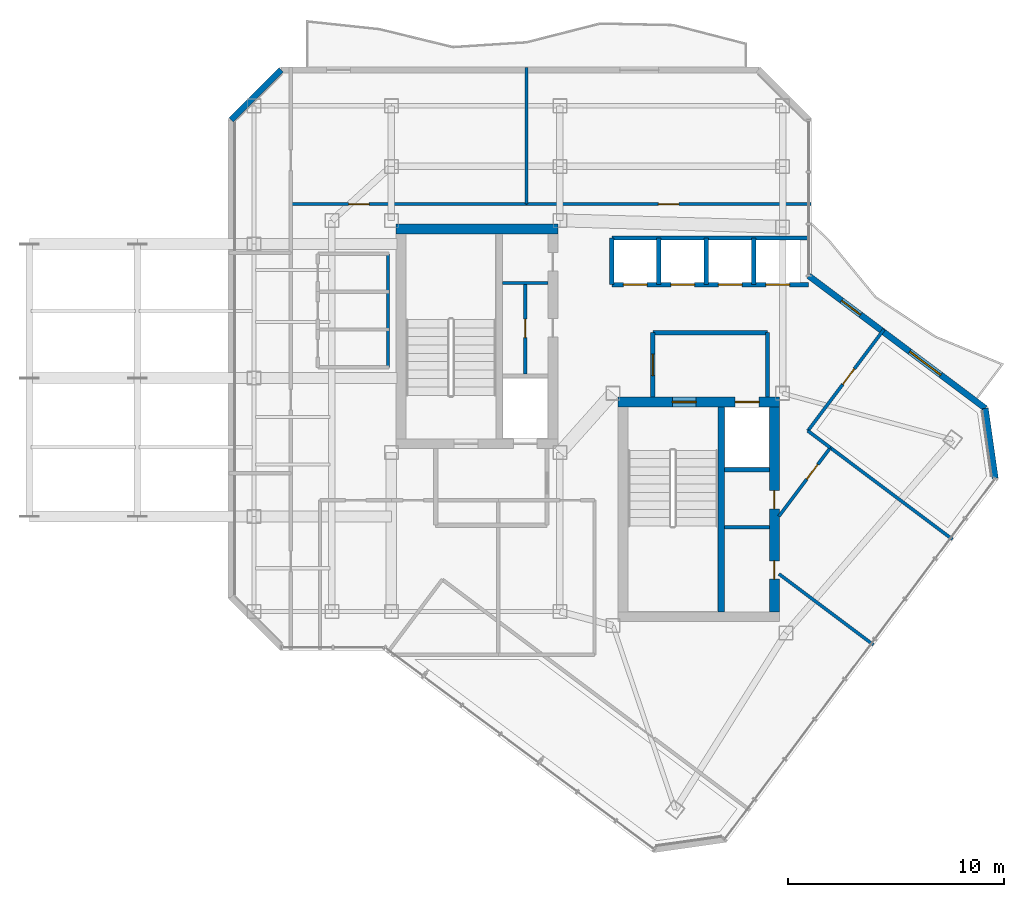
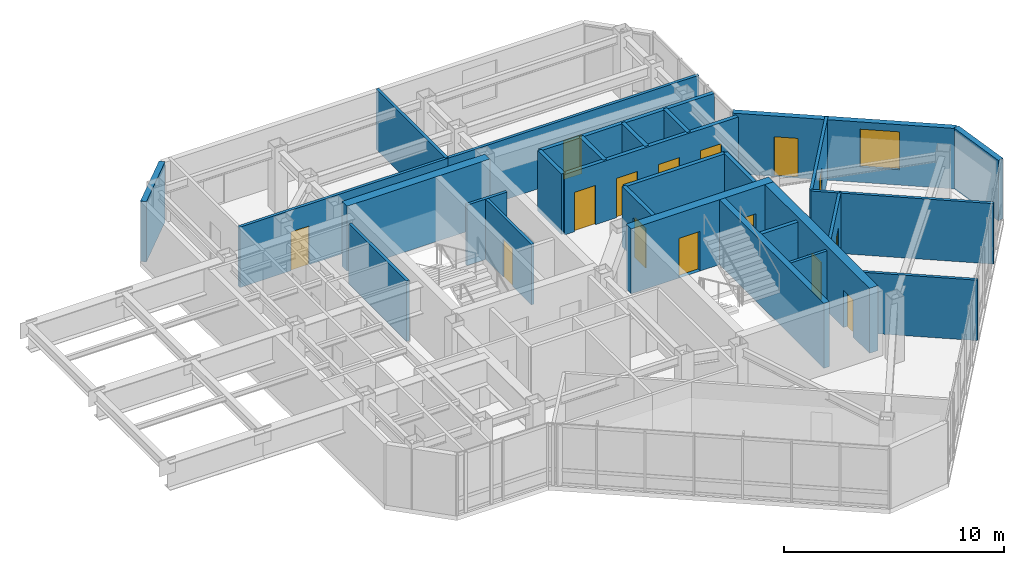
# One storey, part 13 of 17: 29 walls, 15 doors, 1 window, 16 openings.
"""IFC4 building model written with IfcOpenShell, lengths in metres."""

from ifc_helpers import new_model, si_unit, direction, frame, frame_2d, origin, place, context, subcontext, project, spatial, rectangle, extrude, material, layer, layer_set, type_object, element, fill, save


model = new_model("IFC4")

# Units and contexts
model_context = context("Model", 3, precision=1e-05, world=origin(), true_north=direction((0.0, 1.0)))
body_context = subcontext(model_context, "Body", "Model", "MODEL_VIEW")
ifc_project = project(units=[si_unit("LENGTHUNIT", "METRE"), si_unit("AREAUNIT", "SQUARE_METRE"), si_unit("VOLUMEUNIT", "CUBIC_METRE"), si_unit("PLANEANGLEUNIT", "RADIAN"), si_unit("MASSUNIT", "GRAM", prefix="KILO")], contexts=[model_context])

# Site, building, storey
site_placement = place(None, origin())
site = spatial("IfcSite", under=ifc_project, at=site_placement, CompositionType="ELEMENT")
building_placement = place(site_placement, origin())
building = spatial("IfcBuilding", under=site, at=building_placement, Name="Hatsunagi Terrace Concourse", CompositionType="ELEMENT")
storey_placement = place(building_placement, frame((0.0, 0.0, 253.949951171875)))
storey = spatial("IfcBuildingStorey", under=building, at=storey_placement, Name="L67", CompositionType="ELEMENT", Elevation=253.949951171875)

# Wall
ifc_material_1 = material(Name="Concrete Fc42", Category="concrete")
ifc_layer_1 = layer(ifc_material_1, 0.449951171875)
ifc_layer_set_1 = layer_set([ifc_layer_1], Name="CoreShearWall_Fc42_450")
wall_type_1 = type_object("IfcWallType", Name="CoreShearWall_Fc42_450", PredefinedType="SHEAR", material=ifc_layer_set_1)
wall_1_placement = place(storey_placement, frame((25.77001953125, 42.89501953125, 0.0), z_axis=(0.0, 0.0, 1.0), x_axis=(1.0, 0.0, 0.0)))
element("IfcWall", 1, at=wall_1_placement, inside=storey, type_object=wall_type_1, Name="Core A Shear Wall N L67", PredefinedType="SHEAR", context=body_context, shape_type="SweptSolid", body=[
    extrude(rectangle(XDim=7.47998046875, YDim=0.449951171875, at=frame_2d((3.739990234375, 0.0))), origin(), (0.0, 0.0, 1.0), 3.60009765625),
])

# Wall, openings, doors
wall_2_placement = place(storey_placement, frame((36.0400390625, 34.89501953125, 0.0), z_axis=(0.0, 0.0, 1.0), x_axis=(1.0, 0.0, 0.0)))
wall_2 = element("IfcWall", 2, at=wall_2_placement, inside=storey, type_object=wall_type_1, Name="Core B Shear Wall N L67", PredefinedType="SHEAR", context=body_context, shape_type="SweptSolid", body=[
    extrude(rectangle(XDim=7.4599609375, YDim=0.449951171875, at=frame_2d((3.72998046875, 0.0))), origin(), (0.0, 0.0, 1.0), 3.60009765625),
])
opening_1_placement = place(wall_2_placement, frame((2.510009765625, 0.0, 0.0)))
opening_1 = element("IfcOpeningElement", 3, at=opening_1_placement, cuts=wall_2, Name="Opening DR-110S", PredefinedType="OPENING", context=body_context, shape_type="SweptSolid", body=[
    extrude(rectangle(XDim=1.10009765625, YDim=2.199951171875, at=frame_2d((0.550048828125, 1.10009765625))), frame((0.0, 0.23486328125, 0.0), z_axis=(0.0, -1.0, 0.0), x_axis=(1.0, 0.0, 0.0)), (0.0, 0.0, 1.0), 0.469970703125),
])
opening_2_placement = place(wall_2_placement, frame((5.409912109375, 0.0, 0.0)))
opening_2 = element("IfcOpeningElement", 4, at=opening_2_placement, cuts=wall_2, Name="Opening LD-02", PredefinedType="OPENING", context=body_context, shape_type="SweptSolid", body=[
    extrude(rectangle(XDim=1.1201171875, YDim=2.14990234375, at=frame_2d((0.56005859375, 1.074951171875))), frame((0.0, 0.23486328125, 0.0), z_axis=(0.0, -1.0, 0.0), x_axis=(1.0, 0.0, 0.0)), (0.0, 0.0, 1.0), 0.469970703125),
])
ifc_material_2 = material(Name="Stainless steel", Category="steel")
door_type_1 = type_object("IfcDoorType", Name="LiftLandingDoor_LD02", OperationType="SLIDING_TO_RIGHT", PredefinedType="USERDEFINED", material=ifc_material_2)
door_1_placement = place(opening_2_placement, origin())
door_1 = element("IfcDoor", 5, at=door_1_placement, inside=storey, type_object=door_type_1, Name="Lift landing door FF-02 L67", ObjectType="SLIDING_LANDING_DOOR", OperationType="SLIDING_TO_RIGHT", OverallHeight=2.14990234375, OverallWidth=1.1201171875, PredefinedType="USERDEFINED", context=body_context, shape_type="SweptSolid", body=[
    extrude(rectangle(XDim=1.1201171875, YDim=2.14990234375, at=frame_2d((0.56005859375, 1.074951171875))), frame((0.0, 0.02490234375, 0.0), z_axis=(0.0, -1.0, 0.0), x_axis=(1.0, 0.0, 0.0)), (0.0, 0.0, 1.0), 0.050048828125),
])
fill(opening_2, door_1)
ifc_material_3 = material(Name="Painted steel", Category="steel")
door_type_2 = type_object("IfcDoorType", Name="StairFireDoor_EI60_1100", OperationType="NOTDEFINED", PredefinedType="DOOR", material=ifc_material_3)
door_2_placement = place(opening_1_placement, origin())
door_2 = element("IfcDoor", 6, at=door_2_placement, inside=storey, type_object=door_type_2, Name="Stair ST-B Exit Door L67", OperationType="SINGLE_SWING_RIGHT", OverallHeight=2.199951171875, OverallWidth=1.10009765625, PredefinedType="DOOR", context=body_context, shape_type="SweptSolid", body=[
    extrude(rectangle(XDim=1.10009765625, YDim=2.199951171875, at=frame_2d((0.550048828125, 1.10009765625))), frame((0.0, 0.02490234375, 0.0), z_axis=(0.0, -1.0, 0.0), x_axis=(1.0, 0.0, 0.0)), (0.0, 0.0, 1.0), 0.050048828125),
])
fill(opening_1, door_2)

wall_3_placement = place(storey_placement, frame((43.27490234375, 25.18994140625, 0.0), z_axis=(0.0, 0.0, 1.0), x_axis=(0.0, 1.0, 0.0)))
wall_3 = element("IfcWall", 7, at=wall_3_placement, inside=storey, type_object=wall_type_1, Name="Core B Shear Wall E L67", PredefinedType="SHEAR", context=body_context, shape_type="SweptSolid", body=[
    extrude(rectangle(XDim=9.47998046875, YDim=0.449951171875, at=frame_2d((4.739990234375, 0.0))), origin(), (0.0, 0.0, 1.0), 3.60009765625),
])
opening_3_placement = place(wall_3_placement, frame((1.510009765625, 0.0, 0.0)))
opening_3 = element("IfcOpeningElement", 8, at=opening_3_placement, cuts=wall_3, Name="Opening DR-085", PredefinedType="OPENING", context=body_context, shape_type="SweptSolid", body=[
    extrude(rectangle(XDim=0.85009765625, YDim=2.080078125, at=frame_2d((0.425048828125, 1.0400390625))), frame((0.0, 0.23486328125, 0.0), z_axis=(0.0, -1.0, 0.0), x_axis=(1.0, 0.0, 0.0)), (0.0, 0.0, 1.0), 0.469970703125),
])
opening_4_placement = place(wall_3_placement, frame((4.760009765625, 0.0, 0.0)))
opening_4 = element("IfcOpeningElement", 9, at=opening_4_placement, cuts=wall_3, Name="Opening DR-085", PredefinedType="OPENING", context=body_context, shape_type="SweptSolid", body=[
    extrude(rectangle(XDim=0.85009765625, YDim=2.080078125, at=frame_2d((0.425048828125, 1.0400390625))), frame((0.0, 0.23486328125, 0.0), z_axis=(0.0, -1.0, 0.0), x_axis=(1.0, 0.0, 0.0)), (0.0, 0.0, 1.0), 0.469970703125),
])
ifc_material_4 = material(Name="Painted steel", Category="steel")
door_type_3 = type_object("IfcDoorType", Name="RiserAccessDoor_EI60_850", OperationType="NOTDEFINED", PredefinedType="DOOR", material=ifc_material_4)
door_3_placement = place(opening_3_placement, origin())
door_3 = element("IfcDoor", 10, at=door_3_placement, inside=storey, type_object=door_type_3, Name="Core B Riser Door L67-1", OperationType="SINGLE_SWING_RIGHT", OverallHeight=2.080078125, OverallWidth=0.85009765625, PredefinedType="DOOR", context=body_context, shape_type="SweptSolid", body=[
    extrude(rectangle(XDim=0.85009765625, YDim=2.080078125, at=frame_2d((0.425048828125, 1.0400390625))), frame((0.0, 0.02490234375, 0.0), z_axis=(0.0, -1.0, 0.0), x_axis=(1.0, 0.0, 0.0)), (0.0, 0.0, 1.0), 0.050048828125),
])
fill(opening_3, door_3)
door_4_placement = place(opening_4_placement, origin())
door_4 = element("IfcDoor", 11, at=door_4_placement, inside=storey, type_object=door_type_3, Name="Core B Riser Door L67-2", OperationType="SINGLE_SWING_RIGHT", OverallHeight=2.080078125, OverallWidth=0.85009765625, PredefinedType="DOOR", context=body_context, shape_type="SweptSolid", body=[
    extrude(rectangle(XDim=0.85009765625, YDim=2.080078125, at=frame_2d((0.425048828125, 1.0400390625))), frame((0.0, 0.02490234375, 0.0), z_axis=(0.0, -1.0, 0.0), x_axis=(1.0, 0.0, 0.0)), (0.0, 0.0, 1.0), 0.050048828125),
])
fill(opening_4, door_4)

# Wall
ifc_material_5 = material(Name="Concrete Fc48", Category="concrete")
ifc_layer_2 = layer(ifc_material_5, 0.300048828125)
ifc_layer_set_2 = layer_set([ifc_layer_2], Name="CoreStairDivider_Fc48_300")
wall_type_2 = type_object("IfcWallType", Name="CoreStairDivider_Fc48_300", PredefinedType="SHEAR", material=ifc_layer_set_2)
wall_4_placement = place(storey_placement, frame((40.81005859375, 25.18994140625, 0.0), z_axis=(0.0, 0.0, 1.0), x_axis=(0.0, 1.0, 0.0)))
element("IfcWall", 12, at=wall_4_placement, inside=storey, type_object=wall_type_2, Name="Core B Shear Wall D L67", PredefinedType="SHEAR", context=body_context, shape_type="SweptSolid", body=[
    extrude(rectangle(XDim=9.47998046875, YDim=0.300048828125, at=frame_2d((4.739990234375, 0.0))), origin(), (0.0, 0.0, 1.0), 3.60009765625),
])

# Wall, opening, door
ifc_material_6 = material(Name="Acoustic mineral board", Category="gypsum")
ifc_layer_3 = layer(ifc_material_6, 0.14990234375)
ifc_layer_set_3 = layer_set([ifc_layer_3], Name="PartitionWall_EI60_150")
wall_type_3 = type_object("IfcWallType", Name="PartitionWall_EI60_150", PredefinedType="PARTITIONING", material=ifc_layer_set_3)
wall_5_placement = place(storey_placement, frame((31.75, 36.179931640625, 0.0), z_axis=(0.0, 0.0, 1.0), x_axis=(0.0, 1.0, 0.0)))
wall_5 = element("IfcWall", 13, at=wall_5_placement, inside=storey, type_object=wall_type_3, Name="Interior Partition IW-L67-002", PredefinedType="PARTITIONING", context=body_context, shape_type="SweptSolid", body=[
    extrude(rectangle(XDim=4.239990234375, YDim=0.14990234375, at=frame_2d((2.1201171875, 0.0))), origin(), (0.0, 0.0, 1.0), 3.35009765625),
])
opening_5_placement = place(wall_5_placement, frame((1.695068359375, 0.0, 0.0)))
opening_5 = element("IfcOpeningElement", 14, at=opening_5_placement, cuts=wall_5, Name="Opening DR-085", PredefinedType="OPENING", context=body_context, shape_type="SweptSolid", body=[
    extrude(rectangle(XDim=0.85009765625, YDim=2.080078125, at=frame_2d((0.425048828125, 1.0400390625))), frame((0.0, 0.0849609375, 0.0), z_axis=(0.0, -1.0, 0.0), x_axis=(1.0, 0.0, 0.0)), (0.0, 0.0, 1.0), 0.169921875),
])
door_5_placement = place(opening_5_placement, origin())
door_5 = element("IfcDoor", 15, at=door_5_placement, inside=storey, type_object=door_type_3, Name="Core A Sub-Riser Door L67", OperationType="SINGLE_SWING_LEFT", OverallHeight=2.080078125, OverallWidth=0.85009765625, PredefinedType="DOOR", context=body_context, shape_type="SweptSolid", body=[
    extrude(rectangle(XDim=0.85009765625, YDim=2.080078125, at=frame_2d((0.425048828125, 1.0400390625))), frame((0.0, 0.02490234375, 0.0), z_axis=(0.0, -1.0, 0.0), x_axis=(1.0, 0.0, 0.0)), (0.0, 0.0, 1.0), 0.050048828125),
])
fill(opening_5, door_5)

# Walls
wall_6_placement = place(storey_placement, frame((30.699951171875, 40.39990234375, 0.0), z_axis=(0.0, 0.0, 1.0), x_axis=(1.0, 0.0, 0.0)))
element("IfcWall", 16, at=wall_6_placement, inside=storey, type_object=wall_type_3, Name="Interior Partition IW-L67-003", PredefinedType="PARTITIONING", context=body_context, shape_type="SweptSolid", body=[
    extrude(rectangle(XDim=2.10009765625, YDim=0.14990234375, at=frame_2d((1.050048828125, 0.0))), origin(), (0.0, 0.0, 1.0), 3.35009765625),
])
wall_7_placement = place(storey_placement, frame((40.969970703125, 29.10009765625, 0.0), z_axis=(0.0, 0.0, 1.0), x_axis=(1.0, 0.0, 0.0)))
element("IfcWall", 17, at=wall_7_placement, inside=storey, type_object=wall_type_3, Name="Interior Partition IW-L67-005", PredefinedType="PARTITIONING", context=body_context, shape_type="SweptSolid", body=[
    extrude(rectangle(XDim=2.080078125, YDim=0.14990234375, at=frame_2d((1.0400390625, 0.0))), origin(), (0.0, 0.0, 1.0), 3.35009765625),
])
wall_8_placement = place(storey_placement, frame((25.39990234375, 36.5, 0.0), z_axis=(0.0, 0.0, 1.0), x_axis=(0.0, 1.0, 0.0)))
element("IfcWall", 18, at=wall_8_placement, inside=storey, type_object=wall_type_3, Name="Interior Partition IW-L67-020", PredefinedType="PARTITIONING", context=body_context, shape_type="SweptSolid", body=[
    extrude(rectangle(XDim=5.25, YDim=0.14990234375, at=frame_2d((2.625, 0.0))), origin(), (0.0, 0.0, 1.0), 3.35009765625),
])

# Wall, opening, door
wall_9_placement = place(storey_placement, frame((20.89990234375, 44.050048828125, 0.0), z_axis=(0.0, 0.0, 1.0), x_axis=(1.0, 0.0, 0.0)))
wall_9 = element("IfcWall", 19, at=wall_9_placement, inside=storey, type_object=wall_type_3, Name="Interior Partition IW-L67-038", PredefinedType="PARTITIONING", context=body_context, shape_type="SweptSolid", body=[
    extrude(rectangle(XDim=10.900146484375, YDim=0.14990234375, at=frame_2d((5.4501953125, 0.0))), origin(), (0.0, 0.0, 1.0), 3.35009765625),
])
opening_6_placement = place(wall_9_placement, frame((2.677978515625, 0.0, 0.0)))
opening_6 = element("IfcOpeningElement", 20, at=opening_6_placement, cuts=wall_9, Name="Opening DR-095", PredefinedType="OPENING", context=body_context, shape_type="SweptSolid", body=[
    extrude(rectangle(XDim=0.949951171875, YDim=2.14990234375, at=frame_2d((0.47509765625, 1.074951171875))), frame((0.0, 0.0849609375, 0.0), z_axis=(0.0, -1.0, 0.0), x_axis=(1.0, 0.0, 0.0)), (0.0, 0.0, 1.0), 0.169921875),
])
ifc_material_7 = material(Name="Hardwood timber", Category="wood")
door_type_4 = type_object("IfcDoorType", Name="InteriorSuiteDoor_EI30_950", OperationType="NOTDEFINED", PredefinedType="DOOR", material=ifc_material_7)
door_6_placement = place(opening_6_placement, origin())
door_6 = element("IfcDoor", 21, at=door_6_placement, inside=storey, type_object=door_type_4, Name="Boardroom L67-ON1 Door", OperationType="SINGLE_SWING_LEFT", OverallHeight=2.14990234375, OverallWidth=0.949951171875, PredefinedType="DOOR", context=body_context, shape_type="SweptSolid", body=[
    extrude(rectangle(XDim=0.949951171875, YDim=2.14990234375, at=frame_2d((0.47509765625, 1.074951171875))), frame((0.0, 0.02490234375, 0.0), z_axis=(0.0, -1.0, 0.0), x_axis=(1.0, 0.0, 0.0)), (0.0, 0.0, 1.0), 0.050048828125),
])
fill(opening_6, door_6)

# Wall
wall_10_placement = place(storey_placement, frame((31.800048828125, 44.050048828125, 0.0), z_axis=(0.0, 0.0, 1.0), x_axis=(0.0, 1.0, 0.0)))
element("IfcWall", 22, at=wall_10_placement, inside=storey, type_object=wall_type_3, Name="Interior Partition IW-L67-039", PredefinedType="PARTITIONING", context=body_context, shape_type="SweptSolid", body=[
    extrude(rectangle(XDim=6.31005859375, YDim=0.14990234375, at=frame_2d((3.155029296875, 0.0))), origin(), (0.0, 0.0, 1.0), 3.35009765625),
])

# Wall, opening, door
wall_11_placement = place(storey_placement, frame((31.800048828125, 44.050048828125, 0.0), z_axis=(0.0, 0.0, 1.0), x_axis=(1.0, 0.0, 0.0)))
wall_11 = element("IfcWall", 23, at=wall_11_placement, inside=storey, type_object=wall_type_3, Name="Interior Partition IW-L67-040", PredefinedType="PARTITIONING", context=body_context, shape_type="SweptSolid", body=[
    extrude(rectangle(XDim=13.159912109375, YDim=0.14990234375, at=frame_2d((6.580078125, 0.0))), origin(), (0.0, 0.0, 1.0), 3.35009765625),
])
opening_7_placement = place(wall_11_placement, frame((6.10498046875, 0.0, 0.0)))
opening_7 = element("IfcOpeningElement", 24, at=opening_7_placement, cuts=wall_11, Name="Opening DR-095", PredefinedType="OPENING", context=body_context, shape_type="SweptSolid", body=[
    extrude(rectangle(XDim=0.949951171875, YDim=2.14990234375, at=frame_2d((0.47509765625, 1.074951171875))), frame((0.0, 0.0849609375, 0.0), z_axis=(0.0, -1.0, 0.0), x_axis=(1.0, 0.0, 0.0)), (0.0, 0.0, 1.0), 0.169921875),
])
door_7_placement = place(opening_7_placement, origin())
door_7 = element("IfcDoor", 25, at=door_7_placement, inside=storey, type_object=door_type_4, Name="Collaboration Lounge L67-ON2 Door", OperationType="SINGLE_SWING_LEFT", OverallHeight=2.14990234375, OverallWidth=0.949951171875, PredefinedType="DOOR", context=body_context, shape_type="SweptSolid", body=[
    extrude(rectangle(XDim=0.949951171875, YDim=2.14990234375, at=frame_2d((0.47509765625, 1.074951171875))), frame((0.0, 0.02490234375, 0.0), z_axis=(0.0, -1.0, 0.0), x_axis=(1.0, 0.0, 0.0)), (0.0, 0.0, 1.0), 0.050048828125),
])
fill(opening_7, door_7)

# Walls
wall_12_placement = place(storey_placement, frame((43.47998046875, 26.93994140625, 0.0), z_axis=(0.0, 0.0, 1.0), x_axis=(0.80000536583, -0.599992845493, 0.0)))
element("IfcWall", 26, at=wall_12_placement, inside=storey, type_object=wall_type_3, Name="Interior Partition IW-L67-041", PredefinedType="PARTITIONING", context=body_context, shape_type="SweptSolid", body=[
    extrude(rectangle(XDim=5.4599609375, YDim=0.14990234375, at=frame_2d((2.72998046875, 0.0))), origin(), (0.0, 0.0, 1.0), 3.35009765625),
])
wall_13_placement = place(storey_placement, frame((45.860107421875, 32.780029296875, 0.0), z_axis=(0.0, 0.0, 1.0), x_axis=(0.799991700537, -0.600011065791, 0.0)))
element("IfcWall", 27, at=wall_13_placement, inside=storey, type_object=wall_type_3, Name="Interior Partition IW-L67-042", PredefinedType="PARTITIONING", context=body_context, shape_type="SweptSolid", body=[
    extrude(rectangle(XDim=7.06005859375, YDim=0.14990234375, at=frame_2d((3.530029296875, 0.0))), origin(), (0.0, 0.0, 1.0), 3.35009765625),
])

# Wall, opening, door
wall_14_placement = place(storey_placement, frame((43.47998046875, 29.60693359375, 0.0), z_axis=(0.0, 0.0, 1.0), x_axis=(0.600049238723, 0.79996306859, 0.0)))
wall_14 = element("IfcWall", 28, at=wall_14_placement, inside=storey, type_object=wall_type_3, Name="Interior Partition IW-L67-043", PredefinedType="PARTITIONING", context=body_context, shape_type="SweptSolid", body=[
    extrude(rectangle(XDim=3.966552734375, YDim=0.14990234375, at=frame_2d((1.9833984375, 0.0))), origin(), (0.0, 0.0, 1.0), 3.35009765625),
])
opening_8_placement = place(wall_14_placement, frame((2.14697265625, 0.0, 0.0)))
opening_8 = element("IfcOpeningElement", 29, at=opening_8_placement, cuts=wall_14, Name="Opening DR-085", PredefinedType="OPENING", context=body_context, shape_type="SweptSolid", body=[
    extrude(rectangle(XDim=0.85009765625, YDim=2.080078125, at=frame_2d((0.425048828125, 1.0400390625))), frame((0.0, 0.0849609375, 0.0), z_axis=(0.0, -1.0, 0.0), x_axis=(1.0, 0.0, 0.0)), (0.0, 0.0, 1.0), 0.169921875),
])
door_8_placement = place(opening_8_placement, origin())
door_8 = element("IfcDoor", 30, at=door_8_placement, inside=storey, type_object=door_type_3, Name="Research Focus Suite L67-OSE1 Door", OperationType="SINGLE_SWING_RIGHT", OverallHeight=2.080078125, OverallWidth=0.85009765625, PredefinedType="DOOR", context=body_context, shape_type="SweptSolid", body=[
    extrude(rectangle(XDim=0.85009765625, YDim=2.080078125, at=frame_2d((0.425048828125, 1.0400390625))), frame((0.0, 0.02490234375, 0.0), z_axis=(0.0, -1.0, 0.0), x_axis=(1.0, 0.0, 0.0)), (0.0, 0.0, 1.0), 0.050048828125),
])
fill(opening_8, door_8)

# Wall
wall_15_placement = place(storey_placement, frame((44.820068359375, 33.56005859375, 0.0), z_axis=(0.0, 0.0, 1.0), x_axis=(0.8, -0.6, 0.0)))
element("IfcWall", 31, at=wall_15_placement, inside=storey, type_object=wall_type_3, Name="Interior Partition IW-L67-044", PredefinedType="PARTITIONING", context=body_context, shape_type="SweptSolid", body=[
    extrude(rectangle(XDim=1.300048828125, YDim=0.14990234375, at=frame_2d((0.64990234375, 0.0))), origin(), (0.0, 0.0, 1.0), 3.35009765625),
])

# Wall, opening, door
wall_16_placement = place(storey_placement, frame((44.820068359375, 33.56005859375, 0.0), z_axis=(0.0, 0.0, 1.0), x_axis=(0.599986667805, 0.800009998972, 0.0)))
wall_16 = element("IfcWall", 32, at=wall_16_placement, inside=storey, type_object=wall_type_3, Name="Interior Partition IW-L67-045", PredefinedType="PARTITIONING", context=body_context, shape_type="SweptSolid", body=[
    extrude(rectangle(XDim=5.85986328125, YDim=0.14990234375, at=frame_2d((2.929931640625, 0.0))), origin(), (0.0, 0.0, 1.0), 3.35009765625),
])
opening_9_placement = place(wall_16_placement, frame((2.68994140625, 0.0, 0.0)))
opening_9 = element("IfcOpeningElement", 33, at=opening_9_placement, cuts=wall_16, Name="Opening DR-090", PredefinedType="OPENING", context=body_context, shape_type="SweptSolid", body=[
    extrude(rectangle(XDim=0.89990234375, YDim=2.14990234375, at=frame_2d((0.449951171875, 1.074951171875))), frame((0.0, 0.0849609375, 0.0), z_axis=(0.0, -1.0, 0.0), x_axis=(1.0, 0.0, 0.0)), (0.0, 0.0, 1.0), 0.169921875),
])
ifc_material_8 = material(Name="Hardwood timber", Category="wood")
door_type_5 = type_object("IfcDoorType", Name="CrownPavilionDoor_EI30_900", OperationType="NOTDEFINED", PredefinedType="DOOR", material=ifc_material_8)
door_9_placement = place(opening_9_placement, origin())
door_9 = element("IfcDoor", 34, at=door_9_placement, inside=storey, type_object=door_type_5, Name="Design Studio L67-OSE2 Door", OperationType="SINGLE_SWING_RIGHT", OverallHeight=2.14990234375, OverallWidth=0.89990234375, PredefinedType="DOOR", context=body_context, shape_type="SweptSolid", body=[
    extrude(rectangle(XDim=0.89990234375, YDim=2.14990234375, at=frame_2d((0.449951171875, 1.074951171875))), frame((0.0, 0.02490234375, 0.0), z_axis=(0.0, -1.0, 0.0), x_axis=(1.0, 0.0, 0.0)), (0.0, 0.0, 1.0), 0.050048828125),
])
fill(opening_9, door_9)

# Walls
ifc_material_9 = material(Name="Acoustic mineral board", Category="gypsum")
ifc_layer_4 = layer(ifc_material_9, 0.199951171875)
ifc_layer_set_4 = layer_set([ifc_layer_4], Name="ShaftWall_EI120_200")
wall_type_4 = type_object("IfcWallType", Name="ShaftWall_EI120_200", PredefinedType="STANDARD", material=ifc_layer_set_4)
wall_17_placement = place(storey_placement, frame((40.969970703125, 31.760009765625, 0.0), z_axis=(0.0, 0.0, 1.0), x_axis=(1.0, 0.0, 0.0)))
element("IfcWall", 35, at=wall_17_placement, inside=storey, type_object=wall_type_4, Name="Interior Partition IW-L67-004", PredefinedType="STANDARD", context=body_context, shape_type="SweptSolid", body=[
    extrude(rectangle(XDim=2.080078125, YDim=0.199951171875, at=frame_2d((1.0400390625, 0.0))), origin(), (0.0, 0.0, 1.0), 3.35009765625),
])
wall_18_placement = place(storey_placement, frame((37.64990234375, 38.10009765625, 0.0), z_axis=(0.0, 0.0, 1.0), x_axis=(1.0, 0.0, 0.0)))
element("IfcWall", 36, at=wall_18_placement, inside=storey, type_object=wall_type_4, Name="Interior Partition IW-L67-009", PredefinedType="STANDARD", context=body_context, shape_type="SweptSolid", body=[
    extrude(rectangle(XDim=5.300048828125, YDim=0.199951171875, at=frame_2d((2.64990234375, 0.0))), origin(), (0.0, 0.0, 1.0), 3.35009765625),
])
wall_19_placement = place(storey_placement, frame((42.949951171875, 35.1201171875, 0.0), z_axis=(0.0, 0.0, 1.0), x_axis=(0.0, 1.0, 0.0)))
element("IfcWall", 37, at=wall_19_placement, inside=storey, type_object=wall_type_4, Name="Interior Partition IW-L67-010", PredefinedType="STANDARD", context=body_context, shape_type="SweptSolid", body=[
    extrude(rectangle(XDim=2.97998046875, YDim=0.199951171875, at=frame_2d((1.489990234375, 0.0))), origin(), (0.0, 0.0, 1.0), 3.35009765625),
])

# Wall, opening, door
wall_20_placement = place(storey_placement, frame((37.64990234375, 35.1201171875, 0.0), z_axis=(0.0, 0.0, 1.0), x_axis=(0.0, 1.0, 0.0)))
wall_20 = element("IfcWall", 38, at=wall_20_placement, inside=storey, type_object=wall_type_4, Name="Interior Partition IW-L67-011", PredefinedType="STANDARD", context=body_context, shape_type="SweptSolid", body=[
    extrude(rectangle(XDim=2.97998046875, YDim=0.199951171875, at=frame_2d((1.489990234375, 0.0))), origin(), (0.0, 0.0, 1.0), 3.35009765625),
])
opening_10_placement = place(wall_20_placement, frame((0.989990234375, 0.0, 0.0)))
opening_10 = element("IfcOpeningElement", 39, at=opening_10_placement, cuts=wall_20, Name="Opening DR-100F", PredefinedType="OPENING", context=body_context, shape_type="SweptSolid", body=[
    extrude(rectangle(XDim=1.0, YDim=2.199951171875, at=frame_2d((0.5, 1.10009765625))), frame((0.0, 0.10986328125, 0.0), z_axis=(0.0, -1.0, 0.0), x_axis=(1.0, 0.0, 0.0)), (0.0, 0.0, 1.0), 0.219970703125),
])
ifc_material_10 = material(Name="Painted steel", Category="steel")
door_type_6 = type_object("IfcDoorType", Name="FireDoor_EI60_1000", OperationType="NOTDEFINED", PredefinedType="DOOR", material=ifc_material_10)
door_10_placement = place(opening_10_placement, origin())
door_10 = element("IfcDoor", 40, at=door_10_placement, inside=storey, type_object=door_type_6, Name="Firefighting Lobby B Door L67", OperationType="SINGLE_SWING_RIGHT", OverallHeight=2.199951171875, OverallWidth=1.0, PredefinedType="DOOR", context=body_context, shape_type="SweptSolid", body=[
    extrude(rectangle(XDim=1.0, YDim=2.199951171875, at=frame_2d((0.5, 1.10009765625))), frame((0.0, 0.02490234375, 0.0), z_axis=(0.0, -1.0, 0.0), x_axis=(1.0, 0.0, 0.0)), (0.0, 0.0, 1.0), 0.050048828125),
])
fill(opening_10, door_10)

# Walls
wall_21_placement = place(storey_placement, frame((35.75, 42.47998046875, 0.0), z_axis=(0.0, 0.0, 1.0), x_axis=(1.0, 0.0, 0.0)))
element("IfcWall", 41, at=wall_21_placement, inside=storey, type_object=wall_type_4, Name="Interior Partition IW-L67-012", PredefinedType="STANDARD", context=body_context, shape_type="SweptSolid", body=[
    extrude(rectangle(XDim=9.110107421875, YDim=0.199951171875, at=frame_2d((4.55517578125, 0.0))), origin(), (0.0, 0.0, 1.0), 3.35009765625),
])
for number, where, z_axis, x_axis, name in (
    (42, (35.75, 40.320068359375, 0.0), (0.0, 0.0, 1.0), (0.0, 1.0, 0.0), "Interior Partition IW-L67-013"),
    (43, (37.919921875, 40.320068359375, 0.0), (0.0, 0.0, 1.0), (0.0, 1.0, 0.0), "Interior Partition IW-L67-014"),
    (44, (40.1201171875, 40.320068359375, 0.0), (0.0, 0.0, 1.0), (0.0, 1.0, 0.0), "Interior Partition IW-L67-015"),
    (45, (42.320068359375, 40.320068359375, 0.0), (0.0, 0.0, 1.0), (0.0, 1.0, 0.0), "Interior Partition IW-L67-016"),
):
    element("IfcWall", number, at=place(storey_placement, frame(where, z_axis=z_axis, x_axis=x_axis)), inside=storey, type_object=wall_type_4, Name=name, PredefinedType="STANDARD", context=body_context, shape_type="SweptSolid", body=[
        extrude(rectangle(XDim=2.159912109375, YDim=0.199951171875, at=frame_2d((1.080078125, 0.0))), origin(), (0.0, 0.0, 1.0), 3.35009765625),
    ])

# Wall, openings, doors
wall_22_placement = place(storey_placement, frame((35.75, 40.320068359375, 0.0), z_axis=(0.0, 0.0, 1.0), x_axis=(1.0, 0.0, 0.0)))
wall_22 = element("IfcWall", 46, at=wall_22_placement, inside=storey, type_object=wall_type_4, Name="Interior Partition IW-L67-017", PredefinedType="STANDARD", context=body_context, shape_type="SweptSolid", body=[
    extrude(rectangle(XDim=9.110107421875, YDim=0.199951171875, at=frame_2d((4.55517578125, 0.0))), origin(), (0.0, 0.0, 1.0), 3.35009765625),
])
opening_11_placement = place(wall_22_placement, frame((0.530029296875, 0.0, 0.0)))
opening_11 = element("IfcOpeningElement", 47, at=opening_11_placement, cuts=wall_22, Name="Opening LD-04", PredefinedType="OPENING", context=body_context, shape_type="SweptSolid", body=[
    extrude(rectangle(XDim=1.10009765625, YDim=2.179931640625, at=frame_2d((0.550048828125, 1.08984375))), frame((0.0, 0.10986328125, 0.0), z_axis=(0.0, -1.0, 0.0), x_axis=(1.0, 0.0, 0.0)), (0.0, 0.0, 1.0), 0.219970703125),
])
opening_12_placement = place(wall_22_placement, frame((2.72998046875, 0.0, 0.0)))
opening_12 = element("IfcOpeningElement", 48, at=opening_12_placement, cuts=wall_22, Name="Opening LD-04", PredefinedType="OPENING", context=body_context, shape_type="SweptSolid", body=[
    extrude(rectangle(XDim=1.10009765625, YDim=2.179931640625, at=frame_2d((0.550048828125, 1.08984375))), frame((0.0, 0.10986328125, 0.0), z_axis=(0.0, -1.0, 0.0), x_axis=(1.0, 0.0, 0.0)), (0.0, 0.0, 1.0), 0.219970703125),
])
opening_13_placement = place(wall_22_placement, frame((4.929931640625, 0.0, 0.0)))
opening_13 = element("IfcOpeningElement", 49, at=opening_13_placement, cuts=wall_22, Name="Opening LD-04", PredefinedType="OPENING", context=body_context, shape_type="SweptSolid", body=[
    extrude(rectangle(XDim=1.10009765625, YDim=2.179931640625, at=frame_2d((0.550048828125, 1.08984375))), frame((0.0, 0.10986328125, 0.0), z_axis=(0.0, -1.0, 0.0), x_axis=(1.0, 0.0, 0.0)), (0.0, 0.0, 1.0), 0.219970703125),
])
opening_14_placement = place(wall_22_placement, frame((7.1298828125, 0.0, 0.0)))
opening_14 = element("IfcOpeningElement", 50, at=opening_14_placement, cuts=wall_22, Name="Opening LD-04", PredefinedType="OPENING", context=body_context, shape_type="SweptSolid", body=[
    extrude(rectangle(XDim=1.10009765625, YDim=2.179931640625, at=frame_2d((0.550048828125, 1.08984375))), frame((0.0, 0.10986328125, 0.0), z_axis=(0.0, -1.0, 0.0), x_axis=(1.0, 0.0, 0.0)), (0.0, 0.0, 1.0), 0.219970703125),
])
ifc_material_11 = material(Name="Stainless steel", Category="steel")
door_type_7 = type_object("IfcDoorType", Name="LiftLandingDoor_LD04", OperationType="SLIDING_TO_RIGHT", PredefinedType="USERDEFINED", material=ifc_material_11)
door_11_placement = place(opening_11_placement, origin())
door_11 = element("IfcDoor", 51, at=door_11_placement, inside=storey, type_object=door_type_7, Name="Lift landing door PL-05 L67", ObjectType="SLIDING_LANDING_DOOR", OperationType="SLIDING_TO_RIGHT", OverallHeight=2.179931640625, OverallWidth=1.10009765625, PredefinedType="USERDEFINED", context=body_context, shape_type="SweptSolid", body=[
    extrude(rectangle(XDim=1.10009765625, YDim=2.179931640625, at=frame_2d((0.550048828125, 1.08984375))), frame((0.0, 0.02490234375, 0.0), z_axis=(0.0, -1.0, 0.0), x_axis=(1.0, 0.0, 0.0)), (0.0, 0.0, 1.0), 0.050048828125),
])
fill(opening_11, door_11)
door_12_placement = place(opening_12_placement, origin())
door_12 = element("IfcDoor", 52, at=door_12_placement, inside=storey, type_object=door_type_7, Name="Lift landing door PL-06 L67", ObjectType="SLIDING_LANDING_DOOR", OperationType="SLIDING_TO_RIGHT", OverallHeight=2.179931640625, OverallWidth=1.10009765625, PredefinedType="USERDEFINED", context=body_context, shape_type="SweptSolid", body=[
    extrude(rectangle(XDim=1.10009765625, YDim=2.179931640625, at=frame_2d((0.550048828125, 1.08984375))), frame((0.0, 0.02490234375, 0.0), z_axis=(0.0, -1.0, 0.0), x_axis=(1.0, 0.0, 0.0)), (0.0, 0.0, 1.0), 0.050048828125),
])
fill(opening_12, door_12)
door_13_placement = place(opening_13_placement, origin())
door_13 = element("IfcDoor", 53, at=door_13_placement, inside=storey, type_object=door_type_7, Name="Lift landing door PL-07 L67", ObjectType="SLIDING_LANDING_DOOR", OperationType="SLIDING_TO_RIGHT", OverallHeight=2.179931640625, OverallWidth=1.10009765625, PredefinedType="USERDEFINED", context=body_context, shape_type="SweptSolid", body=[
    extrude(rectangle(XDim=1.10009765625, YDim=2.179931640625, at=frame_2d((0.550048828125, 1.08984375))), frame((0.0, 0.02490234375, 0.0), z_axis=(0.0, -1.0, 0.0), x_axis=(1.0, 0.0, 0.0)), (0.0, 0.0, 1.0), 0.050048828125),
])
fill(opening_13, door_13)
door_14_placement = place(opening_14_placement, origin())
door_14 = element("IfcDoor", 54, at=door_14_placement, inside=storey, type_object=door_type_7, Name="Lift landing door PL-08 L67", ObjectType="SLIDING_LANDING_DOOR", OperationType="SLIDING_TO_RIGHT", OverallHeight=2.179931640625, OverallWidth=1.10009765625, PredefinedType="USERDEFINED", context=body_context, shape_type="SweptSolid", body=[
    extrude(rectangle(XDim=1.10009765625, YDim=2.179931640625, at=frame_2d((0.550048828125, 1.08984375))), frame((0.0, 0.02490234375, 0.0), z_axis=(0.0, -1.0, 0.0), x_axis=(1.0, 0.0, 0.0)), (0.0, 0.0, 1.0), 0.050048828125),
])
fill(opening_14, door_14)

# Wall, openings, door, window
ifc_material_12 = material(Name="Autoclaved Lightweight Concrete and Terracotta Cladding", Category="masonry")
ifc_layer_5 = layer(ifc_material_12, 0.280029296875)
ifc_layer_set_5 = layer_set([ifc_layer_5], Name="TerracottaSpandrelWall_280")
wall_type_5 = type_object("IfcWallType", Name="TerracottaSpandrelWall_280", PredefinedType="STANDARD", material=ifc_layer_set_5)
wall_23_placement = place(storey_placement, frame((44.860107421875, 40.72998046875, 0.0), z_axis=(0.0, 0.0, 1.0), x_axis=(0.800022950109, -0.599969398635, 0.0)))
wall_23 = element("IfcWall", 55, at=wall_23_placement, inside=storey, type_object=wall_type_5, Name="Exterior Spandrel Wall EW-L67-01", PredefinedType="STANDARD", context=body_context, shape_type="SweptSolid", body=[
    extrude(rectangle(XDim=10.212158203125, YDim=0.280029296875, at=frame_2d((5.10595703125, 0.0))), origin(), (0.0, 0.0, 1.0), 3.35009765625),
])
opening_15_placement = place(wall_23_placement, frame((1.90087890625, 0.0, 0.0)))
opening_15 = element("IfcOpeningElement", 56, at=opening_15_placement, cuts=wall_23, Name="Opening BD-01", PredefinedType="OPENING", context=body_context, shape_type="SweptSolid", body=[
    extrude(rectangle(XDim=1.10009765625, YDim=2.199951171875, at=frame_2d((0.550048828125, 1.10009765625))), frame((0.0, 0.14990234375, 0.0), z_axis=(0.0, -1.0, 0.0), x_axis=(1.0, 0.0, 0.0)), (0.0, 0.0, 1.0), 0.300048828125),
])
opening_16_placement = place(wall_23_placement, frame((5.840087890625, 0.0, 0.85009765625)))
opening_16 = element("IfcOpeningElement", 57, at=opening_16_placement, cuts=wall_23, Name="Opening WIN-03", PredefinedType="OPENING", context=body_context, shape_type="SweptSolid", body=[
    extrude(rectangle(XDim=1.800048828125, YDim=2.10009765625, at=frame_2d((0.89990234375, 1.050048828125))), frame((0.0, 0.14990234375, 0.0), z_axis=(0.0, -1.0, 0.0), x_axis=(1.0, 0.0, 0.0)), (0.0, 0.0, 1.0), 0.300048828125),
])
ifc_material_13 = material(Name="Galvanised Steel and Laminated Safety Glass", Category="steel")
door_type_8 = type_object("IfcDoorType", Name="BalconyTerraceAccessDoor_1100x2200", OperationType="SINGLE_SWING_LEFT", PredefinedType="DOOR", material=ifc_material_13)
door_15_placement = place(opening_15_placement, origin())
door_15 = element("IfcDoor", 58, at=door_15_placement, inside=storey, type_object=door_type_8, Name="Engawa Balcony Door L67-BSE", OperationType="SINGLE_SWING_LEFT", OverallHeight=2.199951171875, OverallWidth=1.10009765625, PredefinedType="DOOR", context=body_context, shape_type="SweptSolid", body=[
    extrude(rectangle(XDim=1.10009765625, YDim=2.199951171875, at=frame_2d((0.550048828125, 1.10009765625))), frame((0.0, 0.02490234375, 0.0), z_axis=(0.0, -1.0, 0.0), x_axis=(1.0, 0.0, 0.0)), (0.0, 0.0, 1.0), 0.050048828125),
])
fill(opening_15, door_15)
ifc_material_14 = material(Name="Thermally Broken Aluminium and Low-E Triple Glazing", Category="aluminium")
window_type = type_object("IfcWindowType", Name="OfficeCornerFeatureWindow_1800x2100", PartitioningType="SINGLE_PANEL", PredefinedType="WINDOW", material=ifc_material_14)
window_placement = place(opening_16_placement, origin())
window = element("IfcWindow", 59, at=window_placement, inside=storey, type_object=window_type, Name="Balcony Daylighting Window L67-01-1", OverallHeight=2.10009765625, OverallWidth=1.800048828125, PartitioningType="SINGLE_PANEL", PredefinedType="WINDOW", context=body_context, shape_type="SweptSolid", body=[
    extrude(rectangle(XDim=1.800048828125, YDim=2.10009765625, at=frame_2d((0.89990234375, 1.050048828125))), frame((0.0, 0.030029296875, 0.0), z_axis=(0.0, -1.0, 0.0), x_axis=(1.0, 0.0, 0.0)), (0.0, 0.0, 1.0), 0.06005859375),
])
fill(opening_16, window)

# Walls
wall_24_placement = place(storey_placement, frame((53.030029296875, 34.60302734375, 0.0), z_axis=(0.0, 0.0, 1.0), x_axis=(0.141212810973, -0.989979263428, 0.0)))
element("IfcWall", 60, at=wall_24_placement, inside=storey, type_object=wall_type_5, Name="Exterior Spandrel Wall EW-L67-02", PredefinedType="STANDARD", context=body_context, shape_type="SweptSolid", body=[
    extrude(rectangle(XDim=3.278076171875, YDim=0.280029296875, at=frame_2d((1.63916015625, 0.0))), origin(), (0.0, 0.0, 1.0), 3.35009765625),
])
wall_25_placement = place(storey_placement, frame((18.139892578125, 47.94189453125, 0.0), z_axis=(0.0, 0.0, 1.0), x_axis=(0.707106781187, 0.707106781187, 0.0)))
element("IfcWall", 61, at=wall_25_placement, inside=storey, type_object=wall_type_5, Name="Exterior Spandrel Wall EW-L67-09", PredefinedType="STANDARD", context=body_context, shape_type="SweptSolid", body=[
    extrude(rectangle(XDim=3.2783203125, YDim=0.280029296875, at=frame_2d((1.63916015625, 0.0))), origin(), (0.0, 0.0, 1.0), 3.35009765625),
])

save(model, "model.ifc")
